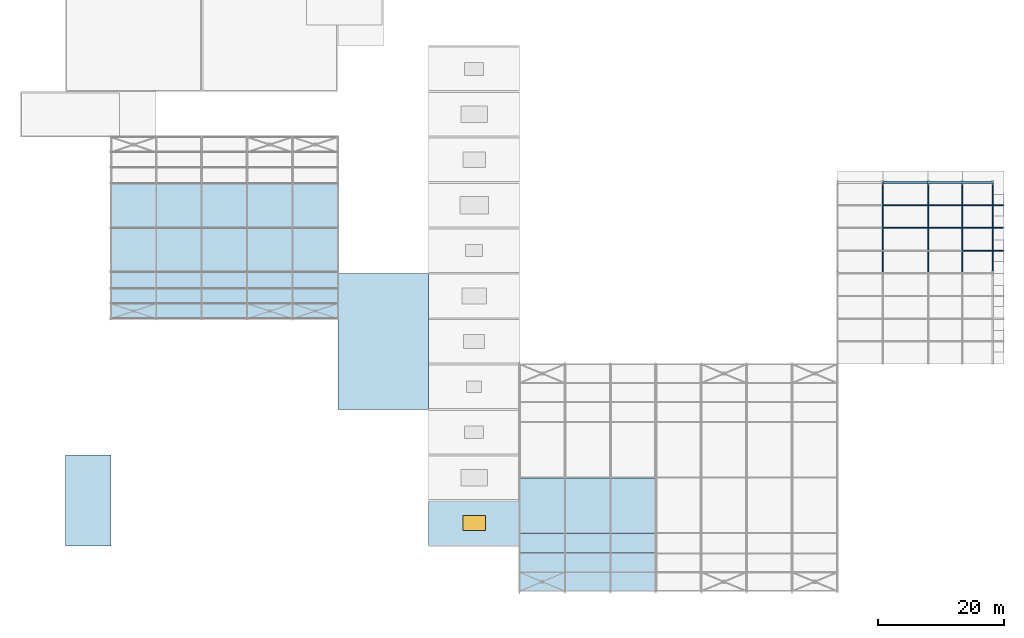
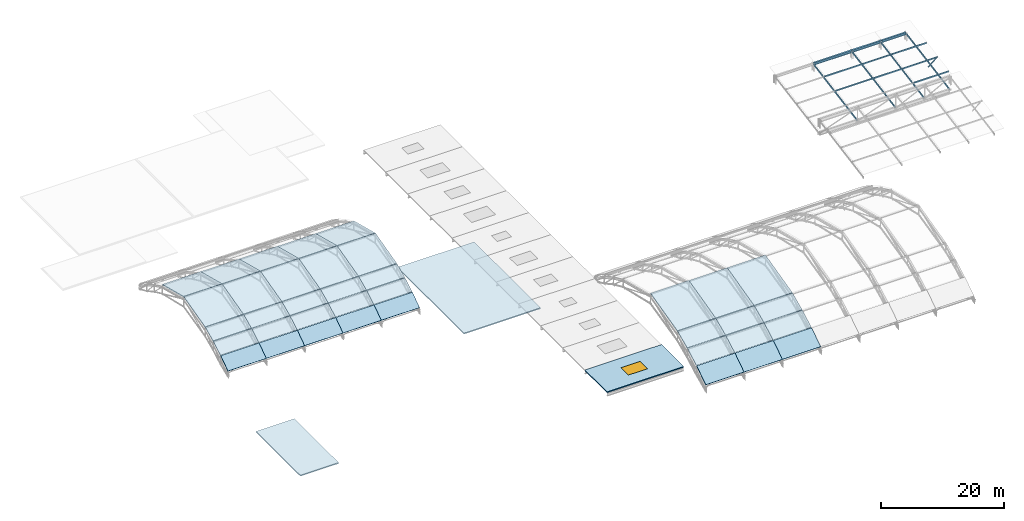
# One storey, part 34 of 63: 40 slabs, 8 members, 7 beams, 1 window, 1 opening, 3 elements without a shape of their own.
"""IFC4 building model written with IfcOpenShell, lengths in metres."""

from ifc_helpers import new_model, si_unit, direction, frame, origin, origin_2d, place, context, subcontext, project, spatial, polyline, rectangle, hollow_rectangle, i_section, outline, extrude, material, layer, layer_set, material_profile, profile_set, type_object, element, fill, aggregate, save


model = new_model("IFC4")

# Units and contexts
model_context = context("Model", 3, precision=1e-05, world=origin(), true_north=direction((0.0, 1.0)))
body_context = subcontext(model_context, "Body", "Model", "MODEL_VIEW")
ifc_project = project(units=[si_unit("LENGTHUNIT", "METRE"), si_unit("AREAUNIT", "SQUARE_METRE"), si_unit("VOLUMEUNIT", "CUBIC_METRE"), si_unit("PLANEANGLEUNIT", "RADIAN"), si_unit("MASSUNIT", "GRAM", prefix="KILO")], contexts=[model_context])

# Site, building, storey
site_placement = place(None, origin())
site = spatial("IfcSite", under=ifc_project, at=site_placement, CompositionType="ELEMENT")
building_placement = place(site_placement, origin())
building = spatial("IfcBuilding", under=site, at=building_placement, Name="Solvadek Multi-Sports Hall", CompositionType="ELEMENT")
storey_placement = place(building_placement, frame((0.0, 0.0, 19.199951171875)))
storey = spatial("IfcBuildingStorey", under=building, at=storey_placement, Name="RF", CompositionType="ELEMENT", Elevation=19.199951171875)

# Members
ifc_material_1 = material(Name="Steel E350 (350 MPa)", Category="steel")
ifc_material_profile_1 = material_profile(ifc_material_1, hollow_rectangle(XDim=0.14990234375, YDim=0.14990234375, WallThickness=0.008056640625, at=origin_2d()), Name="SHS 150x150x8")
ifc_profile_set_1 = profile_set([ifc_material_profile_1], Name="Steel E350 (350 MPa)")
member_type_1 = type_object("IfcMemberType", Name="STR-BRC-SHS150", PredefinedType="BRACE", material=ifc_profile_set_1)
member_placement = place(storey_placement, frame((161.39990234375, 63.60009765625, -1.0), z_axis=(0.770030873367, 0.0, 0.638006625406), x_axis=(0.0, 1.0, 0.0)))
element("IfcMember", 1, at=member_placement, inside=storey, type_object=member_type_1, Name="V2 Bracketed Eave Strut #26", PredefinedType="BRACE", context=body_context, shape_type="SweptSolid", body=[
    extrude(hollow_rectangle(XDim=0.14990234375, YDim=0.14990234375, WallThickness=0.008056640625, at=origin_2d()), origin(), (0.0, 0.0, 1.0), 2.2080078125),
])
ifc_material_profile_2 = material_profile(ifc_material_1, hollow_rectangle(XDim=0.14990234375, YDim=0.25, WallThickness=0.010009765625, at=origin_2d()), Name="RHS 250x150x10")
ifc_profile_set_2 = profile_set([ifc_material_profile_2], Name="Steel E350 (350 MPa)")
member_type_2 = type_object("IfcMemberType", Name="STR-PUR-RHS250", PredefinedType="PURLIN", material=ifc_profile_set_2)
for number, where, z_axis, x_axis, name in (
    (2, (144.0, 63.60009765625, 0.40869140625), (1.0, 0.0, 0.0), (0.0, 1.0, 0.0), "V2 Clerestory Purlin #119"),
    (3, (144.0, 67.199951171875, 1.05322265625), (1.0, 0.0, 0.0), (0.0, 1.0, 0.0), "V2 Clerestory Purlin #120"),
):
    element("IfcMember", number, at=place(storey_placement, frame(where, z_axis=z_axis, x_axis=x_axis)), inside=storey, type_object=member_type_2, Name=name, PredefinedType="PURLIN", context=body_context, shape_type="SweptSolid", body=[
        extrude(hollow_rectangle(XDim=0.14990234375, YDim=0.25, WallThickness=0.010009765625, at=origin_2d()), origin(), (0.0, 0.0, 1.0), 7.199951171875),
    ])
for number, where, z_axis, x_axis, name in (
    (4, (151.199951171875, 63.60009765625, 0.40869140625), (1.0, 0.0, 0.0), (0.0, 1.0, 0.0), "V2 Clerestory Purlin #125"),
    (5, (151.199951171875, 67.199951171875, 1.05322265625), (1.0, 0.0, 0.0), (0.0, 1.0, 0.0), "V2 Clerestory Purlin #126"),
):
    element("IfcMember", number, at=place(storey_placement, frame(where, z_axis=z_axis, x_axis=x_axis)), inside=storey, type_object=member_type_2, Name=name, PredefinedType="PURLIN", context=body_context, shape_type="SweptSolid", body=[
        extrude(hollow_rectangle(XDim=0.14990234375, YDim=0.25, WallThickness=0.010009765625, at=origin_2d()), origin(), (0.0, 0.0, 1.0), 5.400146484375),
    ])
for number, where, z_axis, x_axis, name in (
    (6, (156.60009765625, 60.0, -0.235595703125), (1.0, 0.0, 0.0), (0.0, 1.0, 0.0), "V2 Clerestory Purlin #130"),
    (7, (156.60009765625, 63.60009765625, 0.40869140625), (1.0, 0.0, 0.0), (0.0, 1.0, 0.0), "V2 Clerestory Purlin #131"),
    (8, (156.60009765625, 67.199951171875, 1.05322265625), (1.0, 0.0, 0.0), (0.0, 1.0, 0.0), "V2 Clerestory Purlin #132"),
):
    element("IfcMember", number, at=place(storey_placement, frame(where, z_axis=z_axis, x_axis=x_axis)), inside=storey, type_object=member_type_2, Name=name, PredefinedType="PURLIN", context=body_context, shape_type="SweptSolid", body=[
        extrude(hollow_rectangle(XDim=0.14990234375, YDim=0.25, WallThickness=0.010009765625, at=origin_2d()), origin(), (0.0, 0.0, 1.0), 6.599853515625),
    ])

# Beams
ifc_material_profile_3 = material_profile(ifc_material_1, i_section(OverallWidth=0.300048828125, OverallDepth=0.5, WebThickness=0.014404296875, FlangeThickness=0.028076171875, at=origin_2d()), Name="WPB 500")
ifc_profile_set_3 = profile_set([ifc_material_profile_3], Name="Steel E350 (350 MPa)")
beam_type_1 = type_object("IfcBeamType", Name="STR-SPN-WPB500", PredefinedType="SPANDREL", material=ifc_profile_set_3)
beam_1_placement = place(storey_placement, frame((144.0, 70.800048828125, 1.408203125), z_axis=(1.0, 0.0, 0.0), x_axis=(0.0, 1.0, 0.0)))
element("IfcBeam", 9, at=beam_1_placement, inside=storey, type_object=beam_type_1, Name="V2 North Gable Ridge Girder #2", PredefinedType="SPANDREL", context=body_context, shape_type="SweptSolid", body=[
    extrude(i_section(OverallWidth=0.300048828125, OverallDepth=0.5, WebThickness=0.014404296875, FlangeThickness=0.028076171875, at=origin_2d()), origin(), (0.0, 0.0, 1.0), 7.199951171875),
])
beam_2_placement = place(storey_placement, frame((151.199951171875, 70.800048828125, 1.408203125), z_axis=(1.0, 0.0, 0.0), x_axis=(0.0, 1.0, 0.0)))
element("IfcBeam", 10, at=beam_2_placement, inside=storey, type_object=beam_type_1, Name="V2 North Gable Ridge Girder #3", PredefinedType="SPANDREL", context=body_context, shape_type="SweptSolid", body=[
    extrude(i_section(OverallWidth=0.300048828125, OverallDepth=0.5, WebThickness=0.014404296875, FlangeThickness=0.028076171875, at=origin_2d()), origin(), (0.0, 0.0, 1.0), 5.400146484375),
])
beam_3_placement = place(storey_placement, frame((156.60009765625, 70.800048828125, 1.408203125), z_axis=(1.0, 0.0, 0.0), x_axis=(0.0, 1.0, 0.0)))
element("IfcBeam", 11, at=beam_3_placement, inside=storey, type_object=beam_type_1, Name="V2 North Gable Ridge Girder #4", PredefinedType="SPANDREL", context=body_context, shape_type="SweptSolid", body=[
    extrude(i_section(OverallWidth=0.300048828125, OverallDepth=0.5, WebThickness=0.014404296875, FlangeThickness=0.028076171875, at=origin_2d()), origin(), (0.0, 0.0, 1.0), 4.7998046875),
])
ifc_material_profile_4 = material_profile(ifc_material_1, hollow_rectangle(XDim=0.14990234375, YDim=0.300048828125, WallThickness=0.010009765625, at=origin_2d()), Name="RHS 300x150x10")
ifc_profile_set_4 = profile_set([ifc_material_profile_4], Name="Steel E350 (350 MPa)")
beam_type_2 = type_object("IfcBeamType", Name="STR-TRS-RHS300", PredefinedType="USERDEFINED", material=ifc_profile_set_4)
for number, where, z_axis, x_axis, name in (
    (12, (144.0, 56.550048828125, -1.142578125), (0.0, 0.984354110931, 0.176201544528), (-1.0, 0.0, 0.0), "V2 Clerestory Rafter Truss 2.2"),
    (13, (151.199951171875, 56.550048828125, -1.142578125), (0.0, 0.984354110931, 0.176201544528), (-1.0, 0.0, 0.0), "V2 Clerestory Rafter Truss 3.2"),
    (14, (156.60009765625, 56.550048828125, -1.142578125), (0.0, 0.984354110931, 0.176201544528), (-1.0, 0.0, 0.0), "V2 Clerestory Rafter Truss 4.2"),
    (15, (161.39990234375, 56.550048828125, -1.142578125), (0.0, 0.984354110931, 0.176201544528), (-1.0, 0.0, 0.0), "V2 East Gable Rafter Truss 2"),
):
    element("IfcBeam", number, at=place(storey_placement, frame(where, z_axis=z_axis, x_axis=x_axis)), inside=storey, type_object=beam_type_2, Name=name, ObjectType="ROOF TRUSS", PredefinedType="USERDEFINED", context=body_context, shape_type="SweptSolid", body=[
        extrude(hollow_rectangle(XDim=0.14990234375, YDim=0.300048828125, WallThickness=0.010009765625, at=origin_2d()), origin(), (0.0, 0.0, 1.0), 14.4765625),
    ])

# Roof, slabs
roof_type_1 = type_object("IfcRoofType", Name="STR-ROOF-BARREL", PredefinedType="BARREL_ROOF", material=ifc_material_1)
roof_1_placement = place(storey_placement, origin())
roof_1 = element("IfcRoof", 16, at=roof_1_placement, inside=storey, type_object=roof_type_1, Name="V1 Competition Hall Barrel Vault Roof", PredefinedType="BARREL_ROOF")
ifc_material_2 = material(Name="Verdigris-coated precast concrete M40", Category="concrete")
ifc_layer_1 = layer(ifc_material_2, 0.14990234375, Name="Verdigris-coated precast concrete M40")
ifc_layer_set_1 = layer_set([ifc_layer_1], Name="Verdigris-coated precast concrete M40")
slab_type_1 = type_object("IfcSlabType", Name="STR-SLB-ROOF150", PredefinedType="ROOF", material=ifc_layer_set_1)
slab_1_placement = place(storey_placement, frame((86.39990234375, 6.0, -2.870849609375), z_axis=(0.0, -0.555458630564, 0.831544171847), x_axis=(1.0, 0.0, 0.0)))
slab_1 = element("IfcSlab", 17, at=slab_1_placement, type_object=slab_type_1, Name="V1 Vaulted Roof Deck Bay 1.1", PredefinedType="ROOF", context=body_context, shape_type="SweptSolid", body=[
    extrude(outline(polyline([(0.0, 0.0), (7.2001953125, 0.0), (7.2001953125, 3.5645867393220243), (0.0, 3.5645867393220243), (0.0, 0.0)])), origin(), (0.0, 0.0, -1.0), 0.14990234375),
])
slab_2_placement = place(storey_placement, frame((86.39990234375, 9.035888671875, -0.8466796875), z_axis=(0.0, -0.487625573172, 0.873052862311), x_axis=(1.0, 0.0, 0.0)))
slab_2 = element("IfcSlab", 18, at=slab_2_placement, type_object=slab_type_1, Name="V1 Vaulted Roof Deck Bay 1.2", PredefinedType="ROOF", context=body_context, shape_type="SweptSolid", body=[
    extrude(outline(polyline([(0.0, 0.0), (7.2001953125, 0.0), (7.2001953125, 3.35400384405083), (0.0, 3.35400384405083), (0.0, 0.0)])), origin(), (0.0, 0.0, -1.0), 0.14990234375),
])
slab_3_placement = place(storey_placement, frame((86.39990234375, 12.035888671875, 0.8251953125), z_axis=(0.0, -0.412913738575, 0.910770138123), x_axis=(1.0, 0.0, 0.0)))
slab_3 = element("IfcSlab", 19, at=slab_3_placement, type_object=slab_type_1, Name="V1 Vaulted Roof Deck Bay 1.3", PredefinedType="ROOF", context=body_context, shape_type="SweptSolid", body=[
    extrude(outline(polyline([(0.0, 0.0), (7.2001953125, 0.0), (7.2001953125, 3.434646896276404), (0.0, 3.434646896276404), (0.0, 0.0)])), origin(), (0.0, 0.0, -1.0), 0.14990234375),
])
slab_4_placement = place(storey_placement, frame((86.39990234375, 15.236083984375, 2.268798828125), z_axis=(0.0, -0.243059100651, 0.970011481164), x_axis=(1.0, 0.0, 0.0)))
slab_4 = element("IfcSlab", 20, at=slab_4_placement, type_object=slab_type_1, Name="V1 Vaulted Roof Deck Bay 1.4", PredefinedType="ROOF", context=body_context, shape_type="SweptSolid", body=[
    extrude(outline(polyline([(0.0, 0.0), (7.2001953125, 0.0), (7.2001953125, 8.997859832826778), (0.0, 8.997859832826778), (0.0, 0.0)])), origin(), (0.0, 0.0, -1.0), 0.14990234375),
])
slab_5_placement = place(storey_placement, frame((93.60009765625, 6.0, -2.870849609375), z_axis=(0.0, -0.555458630564, 0.831544171847), x_axis=(1.0, 0.0, 0.0)))
slab_5 = element("IfcSlab", 21, at=slab_5_placement, type_object=slab_type_1, Name="V1 Vaulted Roof Deck Bay 2.1", PredefinedType="ROOF", context=body_context, shape_type="SweptSolid", body=[
    extrude(outline(polyline([(0.0, 0.0), (7.199951171875, 0.0), (7.199951171875, 3.5645867393220243), (0.0, 3.5645867393220243), (0.0, 0.0)])), origin(), (0.0, 0.0, -1.0), 0.14990234375),
])
slab_6_placement = place(storey_placement, frame((93.60009765625, 9.035888671875, -0.8466796875), z_axis=(0.0, -0.487625573172, 0.873052862311), x_axis=(1.0, 0.0, 0.0)))
slab_6 = element("IfcSlab", 22, at=slab_6_placement, type_object=slab_type_1, Name="V1 Vaulted Roof Deck Bay 2.2", PredefinedType="ROOF", context=body_context, shape_type="SweptSolid", body=[
    extrude(outline(polyline([(0.0, 0.0), (7.199951171875, 0.0), (7.199951171875, 3.35400384405083), (0.0, 3.35400384405083), (0.0, 0.0)])), origin(), (0.0, 0.0, -1.0), 0.14990234375),
])
slab_7_placement = place(storey_placement, frame((93.60009765625, 12.035888671875, 0.8251953125), z_axis=(0.0, -0.412913738575, 0.910770138123), x_axis=(1.0, 0.0, 0.0)))
slab_7 = element("IfcSlab", 23, at=slab_7_placement, type_object=slab_type_1, Name="V1 Vaulted Roof Deck Bay 2.3", PredefinedType="ROOF", context=body_context, shape_type="SweptSolid", body=[
    extrude(outline(polyline([(0.0, 0.0), (7.199951171875, 0.0), (7.199951171875, 3.434646896276404), (0.0, 3.434646896276404), (0.0, 0.0)])), origin(), (0.0, 0.0, -1.0), 0.14990234375),
])
slab_8_placement = place(storey_placement, frame((93.60009765625, 15.236083984375, 2.268798828125), z_axis=(0.0, -0.243059100651, 0.970011481164), x_axis=(1.0, 0.0, 0.0)))
slab_8 = element("IfcSlab", 24, at=slab_8_placement, type_object=slab_type_1, Name="V1 Vaulted Roof Deck Bay 2.4", PredefinedType="ROOF", context=body_context, shape_type="SweptSolid", body=[
    extrude(outline(polyline([(0.0, 0.0), (7.199951171875, 0.0), (7.199951171875, 8.997859832826775), (0.0, 8.997859832826775), (0.0, 0.0)])), origin(), (0.0, 0.0, -1.0), 0.14990234375),
])
slab_9_placement = place(storey_placement, frame((100.800048828125, 6.0, -2.870849609375), z_axis=(0.0, -0.555458630564, 0.831544171847), x_axis=(1.0, 0.0, 0.0)))
slab_9 = element("IfcSlab", 25, at=slab_9_placement, type_object=slab_type_1, Name="V1 Vaulted Roof Deck Bay 3.1", PredefinedType="ROOF", context=body_context, shape_type="SweptSolid", body=[
    extrude(outline(polyline([(0.0, 0.0), (7.199951171875, 0.0), (7.199951171875, 3.5645867393220243), (0.0, 3.5645867393220243), (0.0, 0.0)])), origin(), (0.0, 0.0, -1.0), 0.14990234375),
])
slab_10_placement = place(storey_placement, frame((100.800048828125, 9.035888671875, -0.8466796875), z_axis=(0.0, -0.487625573172, 0.873052862311), x_axis=(1.0, 0.0, 0.0)))
slab_10 = element("IfcSlab", 26, at=slab_10_placement, type_object=slab_type_1, Name="V1 Vaulted Roof Deck Bay 3.2", PredefinedType="ROOF", context=body_context, shape_type="SweptSolid", body=[
    extrude(outline(polyline([(0.0, 0.0), (7.199951171875, 0.0), (7.199951171875, 3.35400384405083), (0.0, 3.35400384405083), (0.0, 0.0)])), origin(), (0.0, 0.0, -1.0), 0.14990234375),
])
slab_11_placement = place(storey_placement, frame((100.800048828125, 12.035888671875, 0.8251953125), z_axis=(0.0, -0.412913738575, 0.910770138123), x_axis=(1.0, 0.0, 0.0)))
slab_11 = element("IfcSlab", 27, at=slab_11_placement, type_object=slab_type_1, Name="V1 Vaulted Roof Deck Bay 3.3", PredefinedType="ROOF", context=body_context, shape_type="SweptSolid", body=[
    extrude(outline(polyline([(0.0, 0.0), (7.199951171875, 0.0), (7.199951171875, 3.434646896276404), (0.0, 3.434646896276404), (0.0, 0.0)])), origin(), (0.0, 0.0, -1.0), 0.14990234375),
])
slab_12_placement = place(storey_placement, frame((100.800048828125, 15.236083984375, 2.268798828125), z_axis=(0.0, -0.243059100651, 0.970011481164), x_axis=(1.0, 0.0, 0.0)))
slab_12 = element("IfcSlab", 28, at=slab_12_placement, type_object=slab_type_1, Name="V1 Vaulted Roof Deck Bay 3.4", PredefinedType="ROOF", context=body_context, shape_type="SweptSolid", body=[
    extrude(outline(polyline([(0.0, 0.0), (7.199951171875, 0.0), (7.199951171875, 8.997859832826775), (0.0, 8.997859832826775), (0.0, 0.0)])), origin(), (0.0, 0.0, -1.0), 0.14990234375),
])
aggregate(roof_1, [slab_1, slab_2, slab_3, slab_4, slab_5, slab_6, slab_7, slab_8, slab_9, slab_10, slab_11, slab_12])

roof_2_placement = place(storey_placement, origin())
roof_2 = element("IfcRoof", 29, at=roof_2_placement, inside=storey, type_object=roof_type_1, Name="V4 Training Hall Barrel Vault Roof", PredefinedType="BARREL_ROOF")
slab_13_placement = place(storey_placement, frame((21.60009765625, 49.199951171875, -3.66015625), z_axis=(0.0, -0.570149335317, 0.821541073494), x_axis=(1.0, 0.0, 0.0)))
slab_13 = element("IfcSlab", 30, at=slab_13_placement, type_object=slab_type_1, Name="V4 Vaulted Roof Deck Bay 1.1", PredefinedType="ROOF", context=body_context, shape_type="SweptSolid", body=[
    extrude(outline(polyline([(0.0, 0.0), (7.199951171875, 0.0), (7.199951171875, 2.8775355830010025), (0.0, 2.8775355830010025), (0.0, 0.0)])), origin(), (0.0, 0.0, -1.0), 0.14990234375),
])
slab_14_placement = place(storey_placement, frame((21.60009765625, 51.635986328125, -1.9736328125), z_axis=(0.0, -0.501182923334, 0.865341364641), x_axis=(1.0, 0.0, 0.0)))
slab_14 = element("IfcSlab", 31, at=slab_14_placement, type_object=slab_type_1, Name="V4 Vaulted Roof Deck Bay 1.2", PredefinedType="ROOF", context=body_context, shape_type="SweptSolid", body=[
    extrude(outline(polyline([(0.0, 0.0), (7.199951171875, 0.0), (7.199951171875, 2.690412240915103), (0.0, 2.690412240915103), (0.0, 0.0)])), origin(), (0.0, 0.0, -1.0), 0.14990234375),
])
slab_15_placement = place(storey_placement, frame((21.60009765625, 54.035888671875, -0.58740234375), z_axis=(0.0, -0.424942223511, 0.905220474071), x_axis=(1.0, 0.0, 0.0)))
slab_15 = element("IfcSlab", 32, at=slab_15_placement, type_object=slab_type_1, Name="V4 Vaulted Roof Deck Bay 1.3", PredefinedType="ROOF", context=body_context, shape_type="SweptSolid", body=[
    extrude(outline(polyline([(0.0, 0.0), (7.199951171875, 0.0), (7.199951171875, 2.792773964231769), (0.0, 2.792773964231769), (0.0, 0.0)])), origin(), (0.0, 0.0, -1.0), 0.14990234375),
])
slab_16_placement = place(storey_placement, frame((21.60009765625, 56.635986328125, 0.62548828125), z_axis=(0.0, -0.250738393615, 0.968054883758), x_axis=(1.0, 0.0, 0.0)))
slab_16 = element("IfcSlab", 33, at=slab_16_placement, type_object=slab_type_1, Name="V4 Vaulted Roof Deck Bay 1.4", PredefinedType="ROOF", context=body_context, shape_type="SweptSolid", body=[
    extrude(outline(polyline([(0.0, 0.0), (7.199951171875, 0.0), (7.199951171875, 7.156596833365711), (0.0, 7.156596833365711), (0.0, 0.0)])), origin(), (0.0, 0.0, -1.0), 0.14990234375),
])
slab_17_placement = place(storey_placement, frame((21.60009765625, 63.635986328125, 2.419921875), z_axis=(0.0, 0.250738393615, 0.968054883758), x_axis=(1.0, 0.0, 0.0)))
slab_17 = element("IfcSlab", 34, at=slab_17_placement, type_object=slab_type_1, Name="V4 Vaulted Roof Deck Bay 1.5", PredefinedType="ROOF", context=body_context, shape_type="SweptSolid", body=[
    extrude(outline(polyline([(0.0, 0.0), (7.199951171875, 0.0), (7.199951171875, 7.156596833365711), (0.0, 7.156596833365711), (0.0, 0.0)])), origin(), (0.0, 0.0, -1.0), 0.14990234375),
])
slab_18_placement = place(storey_placement, frame((28.800048828125, 49.199951171875, -3.66015625), z_axis=(0.0, -0.570149335317, 0.821541073494), x_axis=(1.0, 0.0, 0.0)))
slab_18 = element("IfcSlab", 35, at=slab_18_placement, type_object=slab_type_1, Name="V4 Vaulted Roof Deck Bay 2.1", PredefinedType="ROOF", context=body_context, shape_type="SweptSolid", body=[
    extrude(outline(polyline([(0.0, 0.0), (7.199951171875, 0.0), (7.199951171875, 2.8775355830010025), (0.0, 2.8775355830010025), (0.0, 0.0)])), origin(), (0.0, 0.0, -1.0), 0.14990234375),
])
slab_19_placement = place(storey_placement, frame((28.800048828125, 51.635986328125, -1.9736328125), z_axis=(0.0, -0.501182923334, 0.865341364641), x_axis=(1.0, 0.0, 0.0)))
slab_19 = element("IfcSlab", 36, at=slab_19_placement, type_object=slab_type_1, Name="V4 Vaulted Roof Deck Bay 2.2", PredefinedType="ROOF", context=body_context, shape_type="SweptSolid", body=[
    extrude(outline(polyline([(0.0, 0.0), (7.199951171875, 0.0), (7.199951171875, 2.690412240915103), (0.0, 2.690412240915103), (0.0, 0.0)])), origin(), (0.0, 0.0, -1.0), 0.14990234375),
])
slab_20_placement = place(storey_placement, frame((28.800048828125, 54.035888671875, -0.58740234375), z_axis=(0.0, -0.424942223511, 0.905220474071), x_axis=(1.0, 0.0, 0.0)))
slab_20 = element("IfcSlab", 37, at=slab_20_placement, type_object=slab_type_1, Name="V4 Vaulted Roof Deck Bay 2.3", PredefinedType="ROOF", context=body_context, shape_type="SweptSolid", body=[
    extrude(outline(polyline([(0.0, 0.0), (7.199951171875, 0.0), (7.199951171875, 2.792773964231769), (0.0, 2.792773964231769), (0.0, 0.0)])), origin(), (0.0, 0.0, -1.0), 0.14990234375),
])
slab_21_placement = place(storey_placement, frame((28.800048828125, 56.635986328125, 0.62548828125), z_axis=(0.0, -0.250738393615, 0.968054883758), x_axis=(1.0, 0.0, 0.0)))
slab_21 = element("IfcSlab", 38, at=slab_21_placement, type_object=slab_type_1, Name="V4 Vaulted Roof Deck Bay 2.4", PredefinedType="ROOF", context=body_context, shape_type="SweptSolid", body=[
    extrude(outline(polyline([(0.0, 0.0), (7.199951171875, 0.0), (7.199951171875, 7.156596833365711), (0.0, 7.156596833365711), (0.0, 0.0)])), origin(), (0.0, 0.0, -1.0), 0.14990234375),
])
slab_22_placement = place(storey_placement, frame((28.800048828125, 63.635986328125, 2.419921875), z_axis=(0.0, 0.250738393615, 0.968054883758), x_axis=(1.0, 0.0, 0.0)))
slab_22 = element("IfcSlab", 39, at=slab_22_placement, type_object=slab_type_1, Name="V4 Vaulted Roof Deck Bay 2.5", PredefinedType="ROOF", context=body_context, shape_type="SweptSolid", body=[
    extrude(outline(polyline([(0.0, 0.0), (7.199951171875, 0.0), (7.199951171875, 7.156596833365711), (0.0, 7.156596833365711), (0.0, 0.0)])), origin(), (0.0, 0.0, -1.0), 0.14990234375),
])
slab_23_placement = place(storey_placement, frame((36.0, 49.199951171875, -3.66015625), z_axis=(0.0, -0.570149335317, 0.821541073494), x_axis=(1.0, 0.0, 0.0)))
slab_23 = element("IfcSlab", 40, at=slab_23_placement, type_object=slab_type_1, Name="V4 Vaulted Roof Deck Bay 3.1", PredefinedType="ROOF", context=body_context, shape_type="SweptSolid", body=[
    extrude(outline(polyline([(0.0, 0.0), (7.199951171875, 0.0), (7.199951171875, 2.8775355830010025), (0.0, 2.8775355830010025), (0.0, 0.0)])), origin(), (0.0, 0.0, -1.0), 0.14990234375),
])
slab_24_placement = place(storey_placement, frame((36.0, 51.635986328125, -1.9736328125), z_axis=(0.0, -0.501182923334, 0.865341364641), x_axis=(1.0, 0.0, 0.0)))
slab_24 = element("IfcSlab", 41, at=slab_24_placement, type_object=slab_type_1, Name="V4 Vaulted Roof Deck Bay 3.2", PredefinedType="ROOF", context=body_context, shape_type="SweptSolid", body=[
    extrude(outline(polyline([(0.0, 0.0), (7.199951171875, 0.0), (7.199951171875, 2.690412240915103), (0.0, 2.690412240915103), (0.0, 0.0)])), origin(), (0.0, 0.0, -1.0), 0.14990234375),
])
slab_25_placement = place(storey_placement, frame((36.0, 54.035888671875, -0.58740234375), z_axis=(0.0, -0.424942223511, 0.905220474071), x_axis=(1.0, 0.0, 0.0)))
slab_25 = element("IfcSlab", 42, at=slab_25_placement, type_object=slab_type_1, Name="V4 Vaulted Roof Deck Bay 3.3", PredefinedType="ROOF", context=body_context, shape_type="SweptSolid", body=[
    extrude(outline(polyline([(0.0, 0.0), (7.199951171875, 0.0), (7.199951171875, 2.792773964231769), (0.0, 2.792773964231769), (0.0, 0.0)])), origin(), (0.0, 0.0, -1.0), 0.14990234375),
])
slab_26_placement = place(storey_placement, frame((36.0, 56.635986328125, 0.62548828125), z_axis=(0.0, -0.250738393615, 0.968054883758), x_axis=(1.0, 0.0, 0.0)))
slab_26 = element("IfcSlab", 43, at=slab_26_placement, type_object=slab_type_1, Name="V4 Vaulted Roof Deck Bay 3.4", PredefinedType="ROOF", context=body_context, shape_type="SweptSolid", body=[
    extrude(outline(polyline([(0.0, 0.0), (7.199951171875, 0.0), (7.199951171875, 7.156596833365711), (0.0, 7.156596833365711), (0.0, 0.0)])), origin(), (0.0, 0.0, -1.0), 0.14990234375),
])
slab_27_placement = place(storey_placement, frame((36.0, 63.635986328125, 2.419921875), z_axis=(0.0, 0.250738393615, 0.968054883758), x_axis=(1.0, 0.0, 0.0)))
slab_27 = element("IfcSlab", 44, at=slab_27_placement, type_object=slab_type_1, Name="V4 Vaulted Roof Deck Bay 3.5", PredefinedType="ROOF", context=body_context, shape_type="SweptSolid", body=[
    extrude(outline(polyline([(0.0, 0.0), (7.199951171875, 0.0), (7.199951171875, 7.156596833365711), (0.0, 7.156596833365711), (0.0, 0.0)])), origin(), (0.0, 0.0, -1.0), 0.14990234375),
])
slab_28_placement = place(storey_placement, frame((43.199951171875, 49.199951171875, -3.66015625), z_axis=(0.0, -0.570149335317, 0.821541073494), x_axis=(1.0, 0.0, 0.0)))
slab_28 = element("IfcSlab", 45, at=slab_28_placement, type_object=slab_type_1, Name="V4 Vaulted Roof Deck Bay 4.1", PredefinedType="ROOF", context=body_context, shape_type="SweptSolid", body=[
    extrude(outline(polyline([(0.0, 0.0), (7.199951171875, 0.0), (7.199951171875, 2.8775355830010025), (0.0, 2.8775355830010025), (0.0, 0.0)])), origin(), (0.0, 0.0, -1.0), 0.14990234375),
])
slab_29_placement = place(storey_placement, frame((43.199951171875, 51.635986328125, -1.9736328125), z_axis=(0.0, -0.501182923334, 0.865341364641), x_axis=(1.0, 0.0, 0.0)))
slab_29 = element("IfcSlab", 46, at=slab_29_placement, type_object=slab_type_1, Name="V4 Vaulted Roof Deck Bay 4.2", PredefinedType="ROOF", context=body_context, shape_type="SweptSolid", body=[
    extrude(outline(polyline([(0.0, 0.0), (7.199951171875, 0.0), (7.199951171875, 2.690412240915103), (0.0, 2.690412240915103), (0.0, 0.0)])), origin(), (0.0, 0.0, -1.0), 0.14990234375),
])
slab_30_placement = place(storey_placement, frame((43.199951171875, 54.035888671875, -0.58740234375), z_axis=(0.0, -0.424942223511, 0.905220474071), x_axis=(1.0, 0.0, 0.0)))
slab_30 = element("IfcSlab", 47, at=slab_30_placement, type_object=slab_type_1, Name="V4 Vaulted Roof Deck Bay 4.3", PredefinedType="ROOF", context=body_context, shape_type="SweptSolid", body=[
    extrude(outline(polyline([(0.0, 0.0), (7.199951171875, 0.0), (7.199951171875, 2.792773964231769), (0.0, 2.792773964231769), (0.0, 0.0)])), origin(), (0.0, 0.0, -1.0), 0.14990234375),
])
slab_31_placement = place(storey_placement, frame((43.199951171875, 56.635986328125, 0.62548828125), z_axis=(0.0, -0.250738393615, 0.968054883758), x_axis=(1.0, 0.0, 0.0)))
slab_31 = element("IfcSlab", 48, at=slab_31_placement, type_object=slab_type_1, Name="V4 Vaulted Roof Deck Bay 4.4", PredefinedType="ROOF", context=body_context, shape_type="SweptSolid", body=[
    extrude(outline(polyline([(0.0, 0.0), (7.199951171875, 0.0), (7.199951171875, 7.156596833365711), (0.0, 7.156596833365711), (0.0, 0.0)])), origin(), (0.0, 0.0, -1.0), 0.14990234375),
])
slab_32_placement = place(storey_placement, frame((43.199951171875, 63.635986328125, 2.419921875), z_axis=(0.0, 0.250738393615, 0.968054883758), x_axis=(1.0, 0.0, 0.0)))
slab_32 = element("IfcSlab", 49, at=slab_32_placement, type_object=slab_type_1, Name="V4 Vaulted Roof Deck Bay 4.5", PredefinedType="ROOF", context=body_context, shape_type="SweptSolid", body=[
    extrude(outline(polyline([(0.0, 0.0), (7.199951171875, 0.0), (7.199951171875, 7.156596833365711), (0.0, 7.156596833365711), (0.0, 0.0)])), origin(), (0.0, 0.0, -1.0), 0.14990234375),
])
slab_33_placement = place(storey_placement, frame((50.39990234375, 49.199951171875, -3.66015625), z_axis=(0.0, -0.570149335317, 0.821541073494), x_axis=(1.0, 0.0, 0.0)))
slab_33 = element("IfcSlab", 50, at=slab_33_placement, type_object=slab_type_1, Name="V4 Vaulted Roof Deck Bay 5.1", PredefinedType="ROOF", context=body_context, shape_type="SweptSolid", body=[
    extrude(outline(polyline([(0.0, 0.0), (7.2001953125, 0.0), (7.2001953125, 2.8775355830010025), (0.0, 2.8775355830010025), (0.0, 0.0)])), origin(), (0.0, 0.0, -1.0), 0.14990234375),
])
slab_34_placement = place(storey_placement, frame((50.39990234375, 51.635986328125, -1.9736328125), z_axis=(0.0, -0.501182923334, 0.865341364641), x_axis=(1.0, 0.0, 0.0)))
slab_34 = element("IfcSlab", 51, at=slab_34_placement, type_object=slab_type_1, Name="V4 Vaulted Roof Deck Bay 5.2", PredefinedType="ROOF", context=body_context, shape_type="SweptSolid", body=[
    extrude(outline(polyline([(0.0, 0.0), (7.2001953125, 0.0), (7.2001953125, 2.6904122409151032), (0.0, 2.6904122409151032), (0.0, 0.0)])), origin(), (0.0, 0.0, -1.0), 0.14990234375),
])
slab_35_placement = place(storey_placement, frame((50.39990234375, 54.035888671875, -0.58740234375), z_axis=(0.0, -0.424942223511, 0.905220474071), x_axis=(1.0, 0.0, 0.0)))
slab_35 = element("IfcSlab", 52, at=slab_35_placement, type_object=slab_type_1, Name="V4 Vaulted Roof Deck Bay 5.3", PredefinedType="ROOF", context=body_context, shape_type="SweptSolid", body=[
    extrude(outline(polyline([(0.0, 0.0), (7.2001953125, 0.0), (7.2001953125, 2.792773964231769), (0.0, 2.792773964231769), (0.0, 0.0)])), origin(), (0.0, 0.0, -1.0), 0.14990234375),
])
slab_36_placement = place(storey_placement, frame((50.39990234375, 56.635986328125, 0.62548828125), z_axis=(0.0, -0.250738393615, 0.968054883758), x_axis=(1.0, 0.0, 0.0)))
slab_36 = element("IfcSlab", 53, at=slab_36_placement, type_object=slab_type_1, Name="V4 Vaulted Roof Deck Bay 5.4", PredefinedType="ROOF", context=body_context, shape_type="SweptSolid", body=[
    extrude(outline(polyline([(0.0, 0.0), (7.2001953125, 0.0), (7.2001953125, 7.15659683336571), (0.0, 7.15659683336571), (0.0, 0.0)])), origin(), (0.0, 0.0, -1.0), 0.14990234375),
])
slab_37_placement = place(storey_placement, frame((50.39990234375, 63.635986328125, 2.419921875), z_axis=(0.0, 0.250738393615, 0.968054883758), x_axis=(1.0, 0.0, 0.0)))
slab_37 = element("IfcSlab", 54, at=slab_37_placement, type_object=slab_type_1, Name="V4 Vaulted Roof Deck Bay 5.5", PredefinedType="ROOF", context=body_context, shape_type="SweptSolid", body=[
    extrude(outline(polyline([(0.0, 0.0), (7.2001953125, 0.0), (7.2001953125, 7.15659683336571), (0.0, 7.15659683336571), (0.0, 0.0)])), origin(), (0.0, 0.0, -1.0), 0.14990234375),
])
aggregate(roof_2, [slab_13, slab_14, slab_15, slab_16, slab_17, slab_18, slab_19, slab_20, slab_21, slab_22, slab_23, slab_24, slab_25, slab_26, slab_27, slab_28, slab_29, slab_30, slab_31, slab_32, slab_33, slab_34, slab_35, slab_36, slab_37])

# Roof, slab, opening, window
ifc_material_3 = material(Name="Concrete M35", Category="concrete")
roof_type_2 = type_object("IfcRoofType", Name="STR-ROOF-FLAT", PredefinedType="FLAT_ROOF", material=ifc_material_3)
roof_3_placement = place(storey_placement, origin())
roof_3 = element("IfcRoof", 55, at=roof_3_placement, inside=storey, type_object=roof_type_2, Name="V3 Glazed Passage Portal Roof", PredefinedType="FLAT_ROOF")
ifc_layer_2 = layer(ifc_material_3, 0.199951171875, Name="Concrete M35")
ifc_layer_set_2 = layer_set([ifc_layer_2], Name="Concrete M35")
slab_type_2 = type_object("IfcSlabType", Name="STR-SLB-ROOF200", PredefinedType="ROOF", material=ifc_layer_set_2)
slab_38_placement = place(storey_placement, frame((0.0, 0.0, -3.800048828125)))
slab_38 = element("IfcSlab", 56, at=slab_38_placement, type_object=slab_type_2, Name="V3 Skylit Passage Portal Roof Bay 1", PredefinedType="ROOF", context=body_context, shape_type="SweptSolid", body=[
    extrude(outline(polyline([(72.0, 13.199951171875), (86.39990234375, 13.199951171875), (86.39990234375, 20.39990234375), (72.0, 20.39990234375), (72.0, 13.199951171875)])), origin(), (0.0, 0.0, 1.0), 0.2001953125),
])
opening_placement = place(slab_38_placement, frame((79.199951171875, 16.800048828125, 0.0)))
opening = element("IfcOpeningElement", 57, at=opening_placement, cuts=slab_38, Name="Opening SK-01", PredefinedType="OPENING", context=body_context, shape_type="SweptSolid", body=[
    extrude(rectangle(XDim=3.60009765625, YDim=2.39990234375, at=origin_2d()), frame((0.0, 0.0, -0.02001953125)), (0.0, 0.0, 1.0), 0.240234375),
])
ifc_material_4 = material(Name="Tempered laminated low-E glass", Category="glass")
window_type = type_object("IfcWindowType", Name="ENV-SKY-SK-01", PartitioningType="SINGLE_PANEL", PredefinedType="SKYLIGHT", material=ifc_material_4)
window_placement = place(opening_placement, frame((0.0, 0.0, 0.150146484375)))
window = element("IfcWindow", 58, at=window_placement, inside=storey, type_object=window_type, Name="Passage Roof Skylight Lantern #1", OverallHeight=2.39990234375, OverallWidth=3.60009765625, PartitioningType="SINGLE_PANEL", PredefinedType="SKYLIGHT", context=body_context, shape_type="SweptSolid", body=[
    extrude(rectangle(XDim=3.60009765625, YDim=2.39990234375, at=origin_2d()), origin(), (0.0, 0.0, 1.0), 0.050048828125),
])
fill(opening, window)
aggregate(roof_3, [slab_38])

# Slabs
slab_39_placement = place(storey_placement, frame((0.0, 0.0, -0.199951171875)))
element("IfcSlab", 59, at=slab_39_placement, inside=storey, type_object=slab_type_2, Name="RF Flat Roof Slab headhouse-st04-roof", PredefinedType="ROOF", context=body_context, shape_type="SweptSolid", body=[
    extrude(outline(polyline([(57.60009765625, 56.39990234375), (72.0, 56.39990234375), (72.0, 34.800048828125), (57.60009765625, 34.800048828125), (57.60009765625, 56.39990234375)])), origin(), (0.0, 0.0, 1.0), 0.199951171875),
])
slab_40_placement = place(storey_placement, frame((0.0, 0.0, -0.199951171875)))
element("IfcSlab", 60, at=slab_40_placement, inside=storey, type_object=slab_type_2, Name="RF Flat Roof Slab headhouse-st01-roof", PredefinedType="ROOF", context=body_context, shape_type="SweptSolid", body=[
    extrude(outline(polyline([(14.39990234375, 27.60009765625), (21.60009765625, 27.60009765625), (21.60009765625, 13.199951171875), (14.39990234375, 13.199951171875), (14.39990234375, 27.60009765625)])), origin(), (0.0, 0.0, 1.0), 0.199951171875),
])

save(model, "model.ifc")
